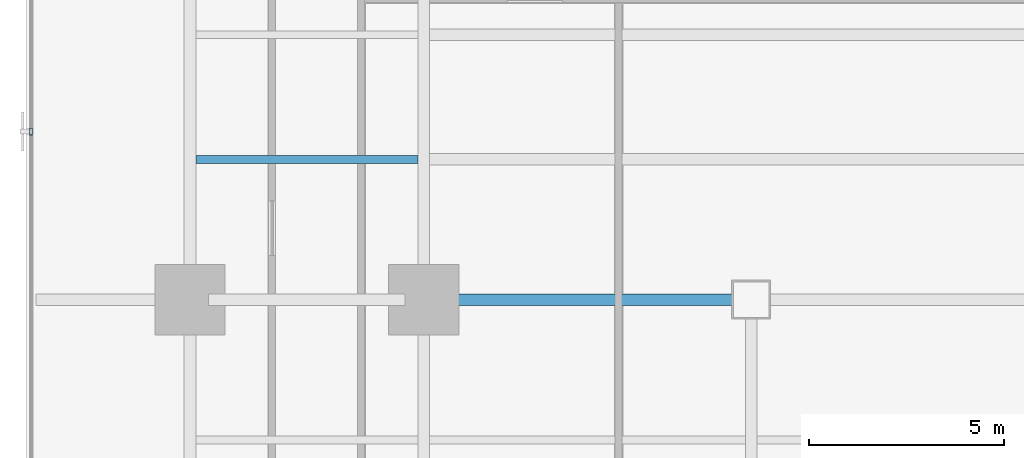
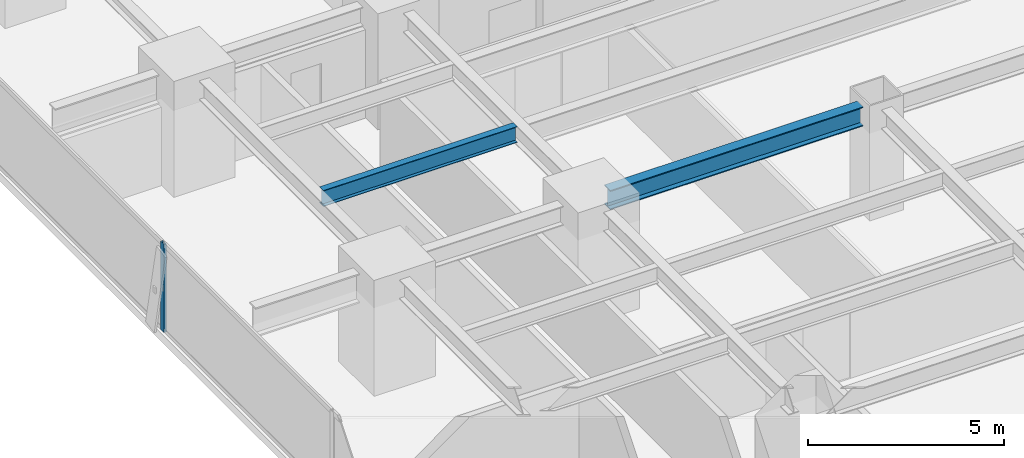
# One storey, part 9 of 33: 2 beams, 1 member, 1 element without a shape of its own.
"""IFC4 building model written with IfcOpenShell, lengths in metres."""

from ifc_helpers import new_model, si_unit, direction, frame, origin, origin_2d, place, context, subcontext, project, spatial, hollow_rectangle, i_section, extrude, source, transform, mapped, material, layer, layer_set, material_profile, profile_set, type_object, element, aggregate, save


model = new_model("IFC4")

# Units and contexts
model_context = context("Model", 3, precision=1e-05, world=origin(), true_north=direction((0.0, 1.0)))
body_context = subcontext(model_context, "Body", "Model", "MODEL_VIEW")
ifc_project = project(units=[si_unit("LENGTHUNIT", "METRE"), si_unit("AREAUNIT", "SQUARE_METRE"), si_unit("VOLUMEUNIT", "CUBIC_METRE"), si_unit("PLANEANGLEUNIT", "RADIAN"), si_unit("MASSUNIT", "GRAM", prefix="KILO")], contexts=[model_context])

# Site, building, storey
site_placement = place(None, origin())
site = spatial("IfcSite", under=ifc_project, at=site_placement, CompositionType="ELEMENT")
building_placement = place(site_placement, origin())
building = spatial("IfcBuilding", under=site, at=building_placement, Name="Sumidabori Civic Tower", CompositionType="ELEMENT")
storey_placement = place(building_placement, frame((0.0, 0.0, 63.199951171875)))
storey = spatial("IfcBuildingStorey", under=building, at=storey_placement, Name="L16", CompositionType="ELEMENT", Elevation=63.199951171875)

# Beams
ifc_material_1 = material(Name="Steel SN490", Category="steel")
ifc_material_profile_1 = material_profile(ifc_material_1, i_section(OverallWidth=0.300048828125, OverallDepth=0.60009765625, WebThickness=0.015380859375, FlangeThickness=0.030029296875, at=origin_2d()), Name="HE 600 B")
ifc_profile_set_1 = profile_set([ifc_material_profile_1], Name="Steel SN490")
beam_type_1 = type_object("IfcBeamType", Name="BM-GIRD-600", PredefinedType="BEAM", material=ifc_profile_set_1)
shared_shape_1 = source(origin(), body_context, "Body", "SweptSolid", [
    extrude(i_section(OverallWidth=0.300048828125, OverallDepth=0.60009765625, WebThickness=0.015380859375, FlangeThickness=0.030029296875, at=origin_2d()), origin(), (0.0, 0.0, 1.0), 7.440185546875),
])
beam_1_placement = place(storey_placement, frame((-16.320068359375, 0.0, 3.06005859375), z_axis=(1.0, 0.0, 0.0), x_axis=(0.0, 1.0, 0.0)))
element("IfcBeam", 1, at=beam_1_placement, inside=storey, type_object=beam_type_1, Name="Primary Girder L16 GX-14", PredefinedType="BEAM", context=body_context, shape_type="MappedRepresentation", body=[
    mapped(shared_shape_1, transform((0.0, 0.0, 0.0), x_axis=(1.0, 0.0, 0.0), y_axis=(0.0, 1.0, 0.0), z_axis=(0.0, 0.0, 1.0), scale=1.0)),
])
ifc_material_profile_2 = material_profile(ifc_material_1, i_section(OverallWidth=0.199951171875, OverallDepth=0.5, WebThickness=0.01025390625, FlangeThickness=0.01611328125, at=origin_2d()), Name="IPE 500")
ifc_profile_set_2 = profile_set([ifc_material_profile_2], Name="Steel SN490")
beam_type_2 = type_object("IfcBeamType", Name="BM-JST-500", PredefinedType="JOIST", material=ifc_profile_set_2)
shared_shape_2 = source(origin(), body_context, "Body", "SweptSolid", [
    extrude(i_section(OverallWidth=0.199951171875, OverallDepth=0.5, WebThickness=0.01025390625, FlangeThickness=0.01611328125, at=origin_2d()), origin(), (0.0, 0.0, 1.0), 5.699951171875),
])
beam_2_placement = place(storey_placement, frame((-22.64990234375, 3.60009765625, 3.110107421875), z_axis=(1.0, 0.0, 0.0), x_axis=(0.0, 1.0, 0.0)))
element("IfcBeam", 2, at=beam_2_placement, inside=storey, type_object=beam_type_2, Name="Outer Bay Floor Joist L16 JSTO-53", PredefinedType="JOIST", context=body_context, shape_type="MappedRepresentation", body=[
    mapped(shared_shape_2, transform((0.0, 0.0, 0.0), x_axis=(1.0, 0.0, 0.0), y_axis=(0.0, 1.0, 0.0), z_axis=(0.0, 0.0, 1.0), scale=1.0)),
])

# Curtain wall, member
ifc_material_2 = material(Name="Anodised Bronze Aluminium AW-6063-T6", Category="aluminium")
ifc_layer = layer(ifc_material_2, 0.179931640625, Name="Anodised Bronze Aluminium AW-6063-T6")
ifc_layer_set = layer_set([ifc_layer], Name="Anodised Bronze Aluminium AW-6063-T6")
curtain_wall_type = type_object("IfcCurtainWallType", Name="CW-SYS-2", PredefinedType="NOTDEFINED", material=ifc_layer_set)
curtain_wall_placement = place(storey_placement, origin())
curtain_wall = element("IfcCurtainWall", 3, at=curtain_wall_placement, inside=storey, type_object=curtain_wall_type, Name="Curtain Wall CW:L16:R10", PredefinedType="NOTDEFINED")
ifc_material_profile_3 = material_profile(ifc_material_2, hollow_rectangle(XDim=0.070068359375, YDim=0.179931640625, WallThickness=0.006103515625, at=origin_2d()), Name="ALU MULLION 180x70")
ifc_profile_set_3 = profile_set([ifc_material_profile_3], Name="Anodised Bronze Aluminium AW-6063-T6")
member_type = type_object("IfcMemberType", Name="CW-MUL-180", PredefinedType="MULLION", material=ifc_profile_set_3)
shared_shape_3 = source(origin(), body_context, "Body", "SweptSolid", [
    extrude(hollow_rectangle(XDim=0.070068359375, YDim=0.179931640625, WallThickness=0.006103515625, at=origin_2d()), origin(), (0.0, 0.0, 1.0), 2.739990234375),
])
member_placement = place(storey_placement, frame((-26.8798828125, 4.31396484375, 0.0), z_axis=(0.0, 0.0, 1.0), x_axis=(1.0, 0.0, 0.0)))
member = element("IfcMember", 4, at=member_placement, type_object=member_type, Name="CW-2 mullion 3", PredefinedType="MULLION", context=body_context, shape_type="MappedRepresentation", body=[
    mapped(shared_shape_3, transform((0.0, 0.0, 0.0), x_axis=(1.0, 0.0, 0.0), y_axis=(0.0, 1.0, 0.0), z_axis=(0.0, 0.0, 1.0), scale=1.0)),
])
aggregate(curtain_wall, [member])

save(model, "model.ifc")
